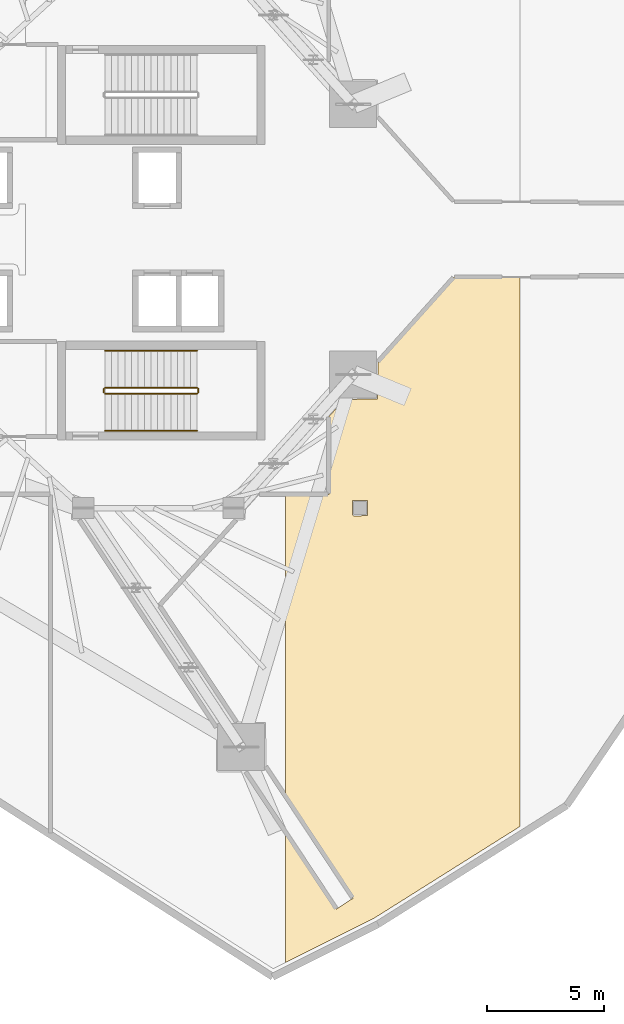
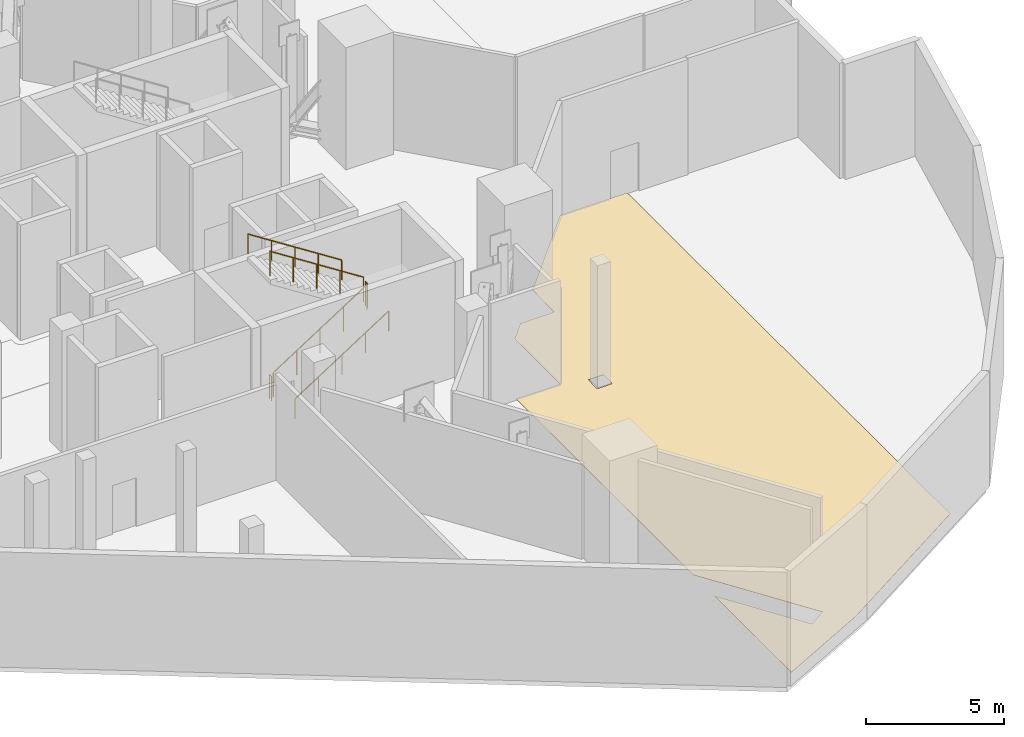
# One storey, part 11 of 13: 6 railings, 1 covering.
"""IFC4 building model written with IfcOpenShell, lengths in metres."""

from ifc_helpers import new_model, si_unit, direction, frame, origin, origin_2d, place, context, subcontext, project, spatial, polyline, circle, outline, extrude, material, layer, layer_set, type_object, element, save


model = new_model("IFC4")

# Units and contexts
model_context = context("Model", 3, precision=1e-05, world=origin(), true_north=direction((0.0, 1.0)))
body_context = subcontext(model_context, "Body", "Model", "MODEL_VIEW")
ifc_project = project(units=[si_unit("LENGTHUNIT", "METRE"), si_unit("AREAUNIT", "SQUARE_METRE"), si_unit("VOLUMEUNIT", "CUBIC_METRE"), si_unit("PLANEANGLEUNIT", "RADIAN"), si_unit("MASSUNIT", "GRAM", prefix="KILO")], contexts=[model_context])

# Site, building, storey
site_placement = place(None, origin())
site = spatial("IfcSite", under=ifc_project, at=site_placement, CompositionType="ELEMENT")
building_placement = place(site_placement, origin())
building = spatial("IfcBuilding", under=site, at=building_placement, Name="Qorvath Tower", CompositionType="ELEMENT")
storey_placement = place(building_placement, frame((0.0, 0.0, 174.60009765625)))
storey = spatial("IfcBuildingStorey", under=building, at=storey_placement, Name="L40", CompositionType="ELEMENT", Elevation=174.60009765625)

# Covering
ifc_material_1 = material(Name="Low-VOC modular carpet tile", Category="textile")
ifc_layer = layer(ifc_material_1, 0.014892578125)
ifc_layer_set = layer_set([ifc_layer], Name="COV-FLOOR-CPT")
covering_type = type_object("IfcCoveringType", Name="COV-FLOOR-CPT", PredefinedType="FLOORING", material=ifc_layer_set)
covering_placement = place(storey_placement, origin())
element("IfcCovering", 1, at=covering_placement, inside=storey, type_object=covering_type, Name="L40 Floor Finish 014", PredefinedType="FLOORING", context=body_context, shape_type="SweptSolid", body=[
    extrude(outline(polyline([(-14.990966796875, -25.242431640625), (-14.990966796875, -30.8125), (-11.187255859375, -28.91064453125), (-4.994873046875, -25.01611328125), (-4.994873046875, -1.59619140625), (-7.809814453125, -1.613037109375), (-11.036865234375, -5.212158203125), (-11.054443359375, -6.80029296875), (-12.476318359375, -6.81787109375), (-13.136962890625, -7.5546875), (-13.138427734375, -10.861572265625), (-14.990966796875, -10.862548828125), (-14.990966796875, -23.703369140625), (-12.1064453125, -28.0732421875), (-12.814208984375, -28.53515625), (-14.990966796875, -25.242431640625)]), holes=[polyline([(-12.135009765625, -11.72509765625), (-12.117431640625, -11.132568359375), (-11.482666015625, -11.132568359375), (-11.482666015625, -11.767333984375), (-12.074951171875, -11.784912109375), (-12.135009765625, -11.72509765625)])]), origin(), (0.0, 0.0, 1.0), 0.014892578125),
])

# Railings
ifc_material_2 = material(Name="Painted galvanised steel", Category="steel")
railing_type_1 = type_object("IfcRailingType", Name="RL-STR-GRD", PredefinedType="GUARDRAIL", material=ifc_material_2)
railing_1_placement = place(storey_placement, frame((-22.669921875, -6.570068359375, 0.179931640625)))
element("IfcRailing", 2, at=railing_1_placement, inside=storey, type_object=railing_type_1, Name="L40 TS2 stair guard 1", PredefinedType="GUARDRAIL", context=body_context, shape_type="SweptSolid", body=[
    extrude(circle(Radius=0.02392578125, at=origin_2d()), frame((0.0, 0.0, 1.076171875), z_axis=(0.841171666519, 0.0, 0.540768182723), x_axis=(0.0, 1.0, 0.0)), (0.0, 0.0, 1.0), 4.66015625),
    extrude(circle(Radius=0.02099609375, at=origin_2d()), origin(), (0.0, 0.0, 1.0), 1.052001953125),
    extrude(circle(Radius=0.02099609375, at=origin_2d()), frame((0.97998046875, 0.0, 0.6298828125)), (0.0, 0.0, 1.0), 1.052001953125),
    extrude(circle(Radius=0.02099609375, at=origin_2d()), frame((1.9599609375, 0.0, 1.260009765625)), (0.0, 0.0, 1.0), 1.052001953125),
    extrude(circle(Radius=0.02099609375, at=origin_2d()), frame((2.93994140625, 0.0, 1.89013671875)), (0.0, 0.0, 1.0), 1.052001953125),
    extrude(circle(Radius=0.02099609375, at=origin_2d()), frame((3.919921875, 0.0, 2.52001953125)), (0.0, 0.0, 1.0), 1.052001953125),
])
railing_2_placement = place(storey_placement, frame((-18.699951171875, -6.52001953125, 2.699951171875)))
element("IfcRailing", 3, at=railing_2_placement, inside=storey, type_object=railing_type_1, Name="L40 TS2 stair guard 2", PredefinedType="GUARDRAIL", context=body_context, shape_type="SweptSolid", body=[
    extrude(circle(Radius=0.02392578125, at=origin_2d()), frame((0.0, 0.0, 1.076171875), z_axis=(0.0, 1.0, 0.0), x_axis=(-1.0, 0.0, 0.0)), (0.0, 0.0, 1.0), 0.14990234375),
    extrude(circle(Radius=0.02099609375, at=origin_2d()), origin(), (0.0, 0.0, 1.0), 1.052001953125),
    extrude(circle(Radius=0.02099609375, at=origin_2d()), frame((0.0, 0.14990234375, 0.0)), (0.0, 0.0, 1.0), 1.052001953125),
])
railing_3_placement = place(storey_placement, frame((-18.75, -6.320068359375, 2.8798828125)))
element("IfcRailing", 4, at=railing_3_placement, inside=storey, type_object=railing_type_1, Name="L40 TS2 stair guard 3", PredefinedType="GUARDRAIL", context=body_context, shape_type="SweptSolid", body=[
    extrude(circle(Radius=0.02392578125, at=origin_2d()), frame((0.0, 0.0, 1.076171875), z_axis=(-0.841171666519, 0.0, 0.540768182723), x_axis=(0.0, -1.0, 0.0)), (0.0, 0.0, 1.0), 4.66015625),
    extrude(circle(Radius=0.02099609375, at=origin_2d()), origin(), (0.0, 0.0, 1.0), 1.052001953125),
    extrude(circle(Radius=0.02099609375, at=origin_2d()), frame((-0.97998046875, 0.0, 0.6298828125)), (0.0, 0.0, 1.0), 1.052001953125),
    extrude(circle(Radius=0.02099609375, at=origin_2d()), frame((-1.9599609375, 0.0, 1.260009765625)), (0.0, 0.0, 1.0), 1.052001953125),
    extrude(circle(Radius=0.02099609375, at=origin_2d()), frame((-2.93994140625, 0.0, 1.89013671875)), (0.0, 0.0, 1.0), 1.052001953125),
    extrude(circle(Radius=0.02099609375, at=origin_2d()), frame((-3.919921875, 0.0, 2.52001953125)), (0.0, 0.0, 1.0), 1.052001953125),
])
railing_4_placement = place(storey_placement, frame((-22.719970703125, -6.52001953125, 0.0)))
element("IfcRailing", 5, at=railing_4_placement, inside=storey, type_object=railing_type_1, Name="L40 TS2 stair guard 4", PredefinedType="GUARDRAIL", context=body_context, shape_type="SweptSolid", body=[
    extrude(circle(Radius=0.02392578125, at=origin_2d()), frame((0.0, 0.0, 1.076171875), z_axis=(0.0, 1.0, 0.0), x_axis=(-1.0, 0.0, 0.0)), (0.0, 0.0, 1.0), 0.14990234375),
    extrude(circle(Radius=0.02099609375, at=origin_2d()), origin(), (0.0, 0.0, 1.0), 1.052001953125),
    extrude(circle(Radius=0.02099609375, at=origin_2d()), frame((0.0, 0.14990234375, 0.0)), (0.0, 0.0, 1.0), 1.052001953125),
])
ifc_material_3 = material(Name="Brushed stainless steel AISI 304", Category="steel")
railing_type_2 = type_object("IfcRailingType", Name="RL-STR-HND", PredefinedType="HANDRAIL", material=ifc_material_3)
railing_5_placement = place(storey_placement, frame((-22.669921875, -8.14990234375, 0.179931640625)))
element("IfcRailing", 6, at=railing_5_placement, inside=storey, type_object=railing_type_2, Name="L40 TS2 stair handrail 1", PredefinedType="HANDRAIL", context=body_context, shape_type="SweptSolid", body=[
    extrude(circle(Radius=0.02392578125, at=origin_2d()), frame((0.0, 0.0, 0.8759765625), z_axis=(0.841171666519, 0.0, 0.540768182723), x_axis=(0.0, 1.0, 0.0)), (0.0, 0.0, 1.0), 4.66015625),
    extrude(circle(Radius=0.02099609375, at=origin_2d()), origin(), (0.0, 0.0, 1.0), 0.851806640625),
    extrude(circle(Radius=0.02099609375, at=origin_2d()), frame((0.97998046875, 0.0, 0.6298828125)), (0.0, 0.0, 1.0), 0.851806640625),
    extrude(circle(Radius=0.02099609375, at=origin_2d()), frame((1.9599609375, 0.0, 1.260009765625)), (0.0, 0.0, 1.0), 0.851806640625),
    extrude(circle(Radius=0.02099609375, at=origin_2d()), frame((2.93994140625, 0.0, 1.89013671875)), (0.0, 0.0, 1.0), 0.851806640625),
    extrude(circle(Radius=0.02099609375, at=origin_2d()), frame((3.919921875, 0.0, 2.52001953125)), (0.0, 0.0, 1.0), 0.851806640625),
])
railing_6_placement = place(storey_placement, frame((-18.75, -4.739990234375, 2.8798828125)))
element("IfcRailing", 7, at=railing_6_placement, inside=storey, type_object=railing_type_2, Name="L40 TS2 stair handrail 2", PredefinedType="HANDRAIL", context=body_context, shape_type="SweptSolid", body=[
    extrude(circle(Radius=0.02392578125, at=origin_2d()), frame((0.0, 0.0, 0.8759765625), z_axis=(-0.841171666519, 0.0, 0.540768182723), x_axis=(0.0, -1.0, 0.0)), (0.0, 0.0, 1.0), 4.66015625),
    extrude(circle(Radius=0.02099609375, at=origin_2d()), origin(), (0.0, 0.0, 1.0), 0.851806640625),
    extrude(circle(Radius=0.02099609375, at=origin_2d()), frame((-0.97998046875, 0.0, 0.6298828125)), (0.0, 0.0, 1.0), 0.851806640625),
    extrude(circle(Radius=0.02099609375, at=origin_2d()), frame((-1.9599609375, 0.0, 1.260009765625)), (0.0, 0.0, 1.0), 0.851806640625),
    extrude(circle(Radius=0.02099609375, at=origin_2d()), frame((-2.93994140625, 0.0, 1.89013671875)), (0.0, 0.0, 1.0), 0.851806640625),
    extrude(circle(Radius=0.02099609375, at=origin_2d()), frame((-3.919921875, 0.0, 2.52001953125)), (0.0, 0.0, 1.0), 0.851806640625),
])

save(model, "model.ifc")
